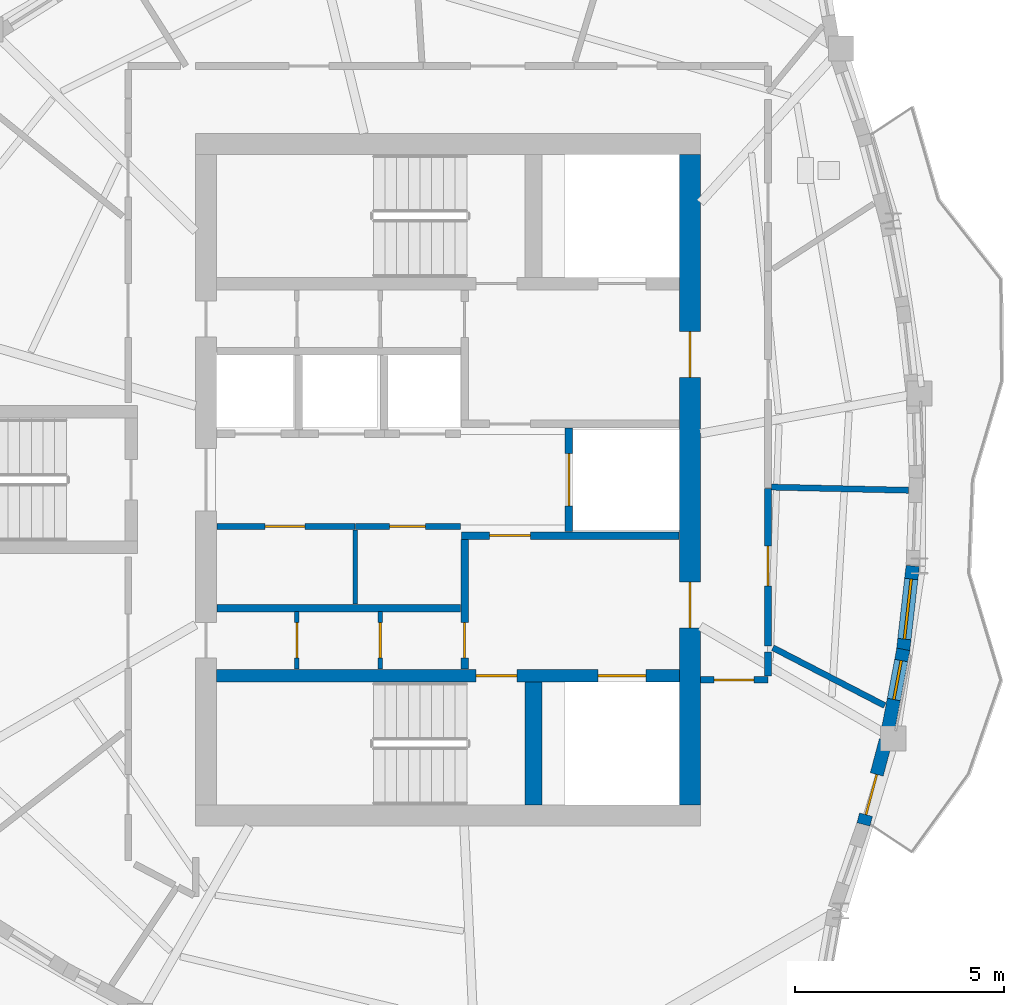
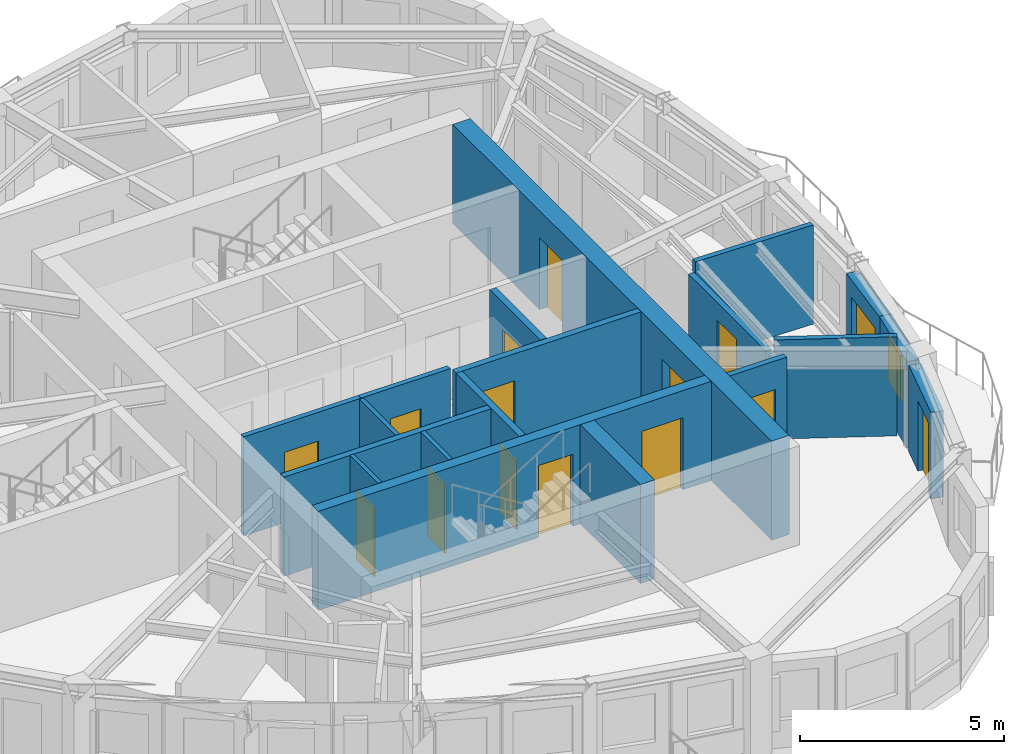
# One storey, part 4 of 11: 20 walls, 14 doors, 2 windows, 16 openings.
"""IFC4 building model written with IfcOpenShell, lengths in metres."""

import ifcopenshell
import ifcopenshell.guid

model = None  # the IFC model being written
_history = None  # IfcOwnerHistory: only IFC2X3 demands one
_inside = {}  # id of a spatial element -> (the spatial element, [elements in it])
_under = {}  # id of a project, library or spatial element -> (it, [spatial elements below it])
_declared = {}  # id of a project -> (the project, [libraries it declares])
_typed = {}  # id of a type object -> (the type object, [elements of that type])
_made_of = {}  # id of a material, layer set ... -> (it, [elements and type objects made of it])


def new_model(schema):
    """Start an empty IFC model of exactly this schema.

    Asked for "IFC4X3", IfcOpenShell would pick the latest addendum, in which some entities
    have other attributes; the version numbers below select the first issue.
    IFC2X3 requires an IfcOwnerHistory on every rooted entity: one is made here for all.
    """
    global model, _history
    if schema == "IFC4X3":
        model = ifcopenshell.file(schema_version=(4, 3, 0, 0))
    else:
        model = ifcopenshell.file(schema=schema)
    _inside.clear()
    _under.clear()
    _declared.clear()
    _typed.clear()
    _made_of.clear()
    _history = None
    if model.schema == "IFC2X3":
        org = make("IfcOrganization", Name="unknown")
        user = make(
            "IfcPersonAndOrganization",
            ThePerson=make("IfcPerson", FamilyName="unknown"),
            TheOrganization=org,
        )
        app = make(
            "IfcApplication",
            ApplicationDeveloper=org,
            Version="unknown",
            ApplicationFullName="unknown",
            ApplicationIdentifier="unknown",
        )
        _history = make(
            "IfcOwnerHistory",
            OwningUser=user,
            OwningApplication=app,
            ChangeAction="ADDED",
            CreationDate=0,
        )
    return model


def make(cls, **values):
    """One entity of the class cls with the attributes given. An attribute that is None is left unset."""
    return model.create_entity(
        cls, **{name: value for name, value in values.items() if value is not None}
    )


def rooted(cls, **values):
    """An entity with a GlobalId (a new one), such as an element, a storey or a relation."""
    return make(cls, GlobalId=ifcopenshell.guid.new(), OwnerHistory=_history, **values)


def si_unit(unit_type, name, prefix=None):
    """IfcSIUnit, for example si_unit("LENGTHUNIT", "METRE", prefix="MILLI")."""
    return make("IfcSIUnit", UnitType=unit_type, Prefix=prefix, Name=name)


def assignment(units):
    """IfcUnitAssignment: the units of a project."""
    return None if units is None else make("IfcUnitAssignment", Units=units)


def point(xyz):
    """IfcCartesianPoint."""
    return None if xyz is None else make("IfcCartesianPoint", Coordinates=xyz)


def direction(xyz):
    """IfcDirection."""
    return None if xyz is None else make("IfcDirection", DirectionRatios=xyz)


def frame(location, z_axis=None, x_axis=None):
    """IfcAxis2Placement3D, a coordinate frame: its origin and axes. An axis left out is left unset."""
    return make(
        "IfcAxis2Placement3D",
        Location=point(location),
        Axis=direction(z_axis),
        RefDirection=direction(x_axis),
    )


def frame_2d(location, x_axis=None):
    """IfcAxis2Placement2D, a coordinate frame in the plane: its origin and x axis."""
    return make(
        "IfcAxis2Placement2D", Location=point(location), RefDirection=direction(x_axis)
    )


def origin():
    """The frame at (0, 0, 0) with its axes left unset."""
    return frame((0.0, 0.0, 0.0))


def place(relative_to, where):
    """IfcLocalPlacement: puts the frame where relative to a parent placement (None: the world)."""
    return make(
        "IfcLocalPlacement", PlacementRelTo=relative_to, RelativePlacement=where
    )


def context(
    kind, dimensions, precision=None, world=None, true_north=None, identifier=None
):
    """IfcGeometricRepresentationContext, for example the 3D "Model" context."""
    return make(
        "IfcGeometricRepresentationContext",
        ContextIdentifier=identifier,
        ContextType=kind,
        CoordinateSpaceDimension=dimensions,
        Precision=precision,
        WorldCoordinateSystem=world,
        TrueNorth=true_north,
    )


def subcontext(parent, identifier, kind, view, scale=None):
    """IfcGeometricRepresentationSubContext, for example "Body" below "Model"."""
    return make(
        "IfcGeometricRepresentationSubContext",
        ContextIdentifier=identifier,
        ContextType=kind,
        ParentContext=parent,
        TargetScale=scale,
        TargetView=view,
    )


def project(units=None, contexts=None):
    """IfcProject with its units and contexts."""
    return rooted(
        "IfcProject",
        Name="project",
        RepresentationContexts=contexts,
        UnitsInContext=assignment(units),
    )


def spatial(cls, under=None, at=None, **own):
    """A site, building, storey or space (cls), placed at a placement, below another one or the project."""
    s = rooted(cls, ObjectPlacement=at, **own)
    if under is not None:
        _under.setdefault(under.id(), (under, []))[1].append(s)
    return s


def profile(cls, at=None, kind="AREA", **sizes):
    """A parametric profile (cls). Its sizes go by their IFC names, for example OverallWidth=200.0."""
    return make(cls, ProfileType=kind, Position=at, **sizes)


def rectangle(**sizes):
    """IfcRectangleProfileDef."""
    return profile("IfcRectangleProfileDef", **sizes)


def extrude(swept, where, along, depth):
    """IfcExtrudedAreaSolid: the profile swept, set in the frame where, extruded along a direction by depth."""
    return make(
        "IfcExtrudedAreaSolid",
        SweptArea=swept,
        Position=where,
        ExtrudedDirection=direction(along),
        Depth=depth,
    )


def shape(context_of_items, identifier, shape_type, items):
    """IfcShapeRepresentation: the items that make up one representation, for example the "Body"."""
    return make(
        "IfcShapeRepresentation",
        ContextOfItems=context_of_items,
        RepresentationIdentifier=identifier,
        RepresentationType=shape_type,
        Items=items,
    )


def source(mapping_origin, context_of_items, identifier, shape_type, items):
    """IfcRepresentationMap: a shape defined once, which mapped items show again and again."""
    return make(
        "IfcRepresentationMap",
        MappingOrigin=mapping_origin,
        MappedRepresentation=shape(context_of_items, identifier, shape_type, items),
    )


def transform(
    local_origin,
    x_axis=None,
    y_axis=None,
    z_axis=None,
    scale=None,
    scale2=None,
    scale3=None,
    uniform=True,
):
    """IfcCartesianTransformationOperator3D, or its non-uniform kind. x_axis, y_axis, z_axis: its Axis1, 2, 3."""
    if uniform:
        return make(
            "IfcCartesianTransformationOperator3D",
            Axis1=direction(x_axis),
            Axis2=direction(y_axis),
            LocalOrigin=point(local_origin),
            Scale=scale,
            Axis3=direction(z_axis),
        )
    return make(
        "IfcCartesianTransformationOperator3DnonUniform",
        Axis1=direction(x_axis),
        Axis2=direction(y_axis),
        LocalOrigin=point(local_origin),
        Scale=scale,
        Axis3=direction(z_axis),
        Scale2=scale2,
        Scale3=scale3,
    )


def mapped(mapping_source, mapping_target):
    """IfcMappedItem: shows the shape of a source again, moved by a transform."""
    return make(
        "IfcMappedItem", MappingSource=mapping_source, MappingTarget=mapping_target
    )


def material(Name=None, Category=None):
    """IfcMaterial."""
    return make("IfcMaterial", Name=Name, Category=Category)


def layer(
    of_material, thickness, ventilated=None, Name=None, Category=None, Priority=None
):
    """IfcMaterialLayer: one layer of a wall or slab, of a material (None: an air gap)."""
    return make(
        "IfcMaterialLayer",
        Material=of_material,
        LayerThickness=thickness,
        IsVentilated=ventilated,
        Name=Name,
        Category=Category,
        Priority=Priority,
    )


def layer_set(layers, Name=None):
    """IfcMaterialLayerSet."""
    return make("IfcMaterialLayerSet", MaterialLayers=layers, LayerSetName=Name)


def made_of(thing, what):
    """Note that an element or type object is made of a material, layer set ...; save() writes the relation."""
    if what is not None:
        _made_of.setdefault(what.id(), (what, []))[1].append(thing)
    return thing


def type_object(cls, material=None, **own):
    """A type object (cls), such as IfcWallType, which elements share."""
    return made_of(rooted(cls, **own), material)


def element(
    cls,
    number,
    at=None,
    inside=None,
    cuts=None,
    type_object=None,
    material=None,
    context=None,
    identifier="Body",
    shape_type=None,
    held_by="IfcProductDefinitionShape",
    body=None,
    shapes=None,
    **own,
):
    """One element of the class cls, such as IfcWall. Its Tag is "e" and its number.

    at: its placement. inside: the storey or other place that contains it. cuts: it is an
    opening in that element (IfcRelVoidsElement). A single representation is given by context,
    identifier, shape_type and body (its items); several are given by shapes. held_by: the class
    of the entity that holds the representations. save() writes the other relations.
    """
    e = rooted(cls, Tag="e%d" % number, ObjectPlacement=at, **own)
    if body is not None:
        shapes = [shape(context, identifier, shape_type, body)]
    if shapes is not None:
        e.Representation = make(held_by, Representations=shapes)
    if inside is not None:
        _inside.setdefault(inside.id(), (inside, []))[1].append(e)
    if cuts is not None:
        rooted(
            "IfcRelVoidsElement", RelatingBuildingElement=cuts, RelatedOpeningElement=e
        )
    if type_object is not None:
        _typed.setdefault(type_object.id(), (type_object, []))[1].append(e)
    return made_of(e, material)


def fill(opening, filler):
    """IfcRelFillsElement: the door or window that sits in an opening."""
    return rooted(
        "IfcRelFillsElement",
        RelatingOpeningElement=opening,
        RelatedBuildingElement=filler,
    )


def aggregate(whole, parts):
    """IfcRelAggregates: a whole, such as a stair, and the parts it consists of."""
    return rooted("IfcRelAggregates", RelatingObject=whole, RelatedObjects=parts)


def save(model, path):
    """Write the relations noted so far, then the file.

    IfcRelAggregates (storeys below a building ...), IfcRelContainedInSpatialStructure (elements
    in a storey), IfcRelDefinesByType, IfcRelAssociatesMaterial and IfcRelDeclares: one each for
    every whole, place, type object, material and project.
    """
    for whole, parts in _under.values():
        aggregate(whole, parts)
    for where, things in _inside.values():
        rooted(
            "IfcRelContainedInSpatialStructure",
            RelatedElements=things,
            RelatingStructure=where,
        )
    for kind, things in _typed.values():
        rooted("IfcRelDefinesByType", RelatedObjects=things, RelatingType=kind)
    for what, things in _made_of.values():
        rooted("IfcRelAssociatesMaterial", RelatedObjects=things, RelatingMaterial=what)
    for by, libraries in _declared.values():
        rooted("IfcRelDeclares", RelatingContext=by, RelatedDefinitions=libraries)
    model.write(path)


model = new_model("IFC4")

# Units and contexts
model_context = context("Model", 3, precision=1e-05, world=origin(), true_north=direction((0.0, 1.0)))
body_context = subcontext(model_context, "Body", "Model", "MODEL_VIEW")
ifc_project = project(units=[si_unit("LENGTHUNIT", "METRE"), si_unit("AREAUNIT", "SQUARE_METRE"), si_unit("VOLUMEUNIT", "CUBIC_METRE"), si_unit("PLANEANGLEUNIT", "RADIAN"), si_unit("MASSUNIT", "GRAM", prefix="KILO")], contexts=[model_context])

# Site, building, storey
site_placement = place(None, origin())
site = spatial("IfcSite", under=ifc_project, at=site_placement, CompositionType="ELEMENT")
building_placement = place(site_placement, origin())
building = spatial("IfcBuilding", under=site, at=building_placement, Name="Qafzar Sky-Pleat Residences", CompositionType="ELEMENT")
storey_placement = place(building_placement, frame((0.0, 0.0, 243.60009765625)))
storey = spatial("IfcBuildingStorey", under=building, at=storey_placement, Name="L73", CompositionType="ELEMENT", Elevation=243.60009765625)

# Wall, opening, door
ifc_material_1 = material(Name="Acoustic gypsum plasterboard partition", Category="gypsum")
ifc_layer_1 = layer(ifc_material_1, 0.159912109375)
ifc_layer_set_1 = layer_set([ifc_layer_1], Name="Acoustic gypsum plasterboard partition")
wall_type_1 = type_object("IfcWallType", Name="PART-COR-160", PredefinedType="PARTITIONING", material=ifc_layer_set_1)
wall_1_placement = place(storey_placement, frame((38.02001953125, 25.7939453125, 0.0), z_axis=(0.0, 0.0, 1.0), x_axis=(0.0, -1.0, 0.0)))
wall_1 = element("IfcWall", 1, at=wall_1_placement, inside=storey, type_object=wall_type_1, Name="L73 Partition Wall PART-L73-PW-005", PredefinedType="PARTITIONING", context=body_context, shape_type="SweptSolid", body=[
    extrude(rectangle(XDim=3.77783203125, YDim=0.159912109375, at=frame_2d((1.888916015625, 0.0))), origin(), (0.0, 0.0, 1.0), 2.6279296875),
])
opening_1_placement = place(wall_1_placement, frame((1.385498046875, 0.0, 0.0)))
opening_1 = element("IfcOpeningElement", 2, at=opening_1_placement, cuts=wall_1, Name="Opening ID-06", PredefinedType="OPENING", context=body_context, shape_type="SweptSolid", body=[
    extrude(rectangle(XDim=0.9599609375, YDim=2.10009765625, at=frame_2d((0.47998046875, 1.050048828125))), frame((0.0, 0.08984375, 0.0), z_axis=(0.0, -1.0, 0.0), x_axis=(1.0, 0.0, 0.0)), (0.0, 0.0, 1.0), 0.179931640625),
])
ifc_material_2 = material(Name="Timber-faced fire door", Category="wood")
door_type_1 = type_object("IfcDoorType", Name="DR-STD-960", OperationType="NOTDEFINED", PredefinedType="DOOR", material=ifc_material_2)
shared_shape_1 = source(origin(), body_context, "Body", "SweptSolid", [
    extrude(rectangle(XDim=0.9599609375, YDim=2.10009765625, at=frame_2d((0.47998046875, 1.050048828125))), frame((0.0, 0.02490234375, 0.0), z_axis=(0.0, -1.0, 0.0), x_axis=(1.0, 0.0, 0.0)), (0.0, 0.0, 1.0), 0.050048828125),
])
door_1_placement = place(opening_1_placement, origin())
door_1 = element("IfcDoor", 3, at=door_1_placement, inside=storey, type_object=door_type_1, Name="L73 Quiet Prayer Room Door", OperationType="SINGLE_SWING_RIGHT", OverallHeight=2.10009765625, OverallWidth=0.9599609375, PredefinedType="DOOR", context=body_context, shape_type="MappedRepresentation", body=[
    mapped(shared_shape_1, transform((0.0, 0.0, 0.0), x_axis=(1.0, 0.0, 0.0), y_axis=(0.0, 1.0, 0.0), z_axis=(0.0, 0.0, 1.0), scale=1.0)),
])
fill(opening_1, door_1)

wall_2_placement = place(storey_placement, frame((38.02001953125, 21.199951171875, 0.0), z_axis=(0.0, 0.0, 1.0), x_axis=(-1.0, 0.0, 0.0)))
wall_2 = element("IfcWall", 4, at=wall_2_placement, inside=storey, type_object=wall_type_1, Name="L73 Partition Wall PART-L73-PW-011", PredefinedType="PARTITIONING", context=body_context, shape_type="SweptSolid", body=[
    extrude(rectangle(XDim=1.612060546875, YDim=0.159912109375, at=frame_2d((0.80615234375, 0.0))), origin(), (0.0, 0.0, 1.0), 2.9599609375),
])
opening_2_placement = place(wall_2_placement, frame((0.330078125, 0.0, 0.0)))
opening_2 = element("IfcOpeningElement", 5, at=opening_2_placement, cuts=wall_2, Name="Opening ID-06", PredefinedType="OPENING", context=body_context, shape_type="SweptSolid", body=[
    extrude(rectangle(XDim=0.9599609375, YDim=2.10009765625, at=frame_2d((0.47998046875, 1.050048828125))), frame((0.0, 0.08984375, 0.0), z_axis=(0.0, -1.0, 0.0), x_axis=(1.0, 0.0, 0.0)), (0.0, 0.0, 1.0), 0.179931640625),
])
door_2_placement = place(opening_2_placement, origin())
door_2 = element("IfcDoor", 6, at=door_2_placement, inside=storey, type_object=door_type_1, Name="L73 Academic Seminar Room Door", OperationType="SINGLE_SWING_LEFT", OverallHeight=2.10009765625, OverallWidth=0.9599609375, PredefinedType="DOOR", context=body_context, shape_type="MappedRepresentation", body=[
    mapped(shared_shape_1, transform((0.0, 0.0, 0.0), x_axis=(1.0, 0.0, 0.0), y_axis=(0.0, 1.0, 0.0), z_axis=(0.0, 0.0, 1.0), scale=1.0)),
])
fill(opening_2, door_2)

# Wall
wall_3_placement = place(storey_placement, frame((38.02001953125, 21.2880859375, 0.0), z_axis=(0.0, 0.0, 1.0), x_axis=(0.0, 1.0, 0.0)))
element("IfcWall", 7, at=wall_3_placement, inside=storey, type_object=wall_type_1, Name="L73 Partition Wall PART-L73-PW-029", PredefinedType="PARTITIONING", context=body_context, shape_type="SweptSolid", body=[
    extrude(rectangle(XDim=0.58203125, YDim=0.159912109375, at=frame_2d((0.291015625, 0.0))), origin(), (0.0, 0.0, 1.0), 2.6279296875),
])

# Wall, opening, door
ifc_material_3 = material(Name="Concrete blockwork partition", Category="masonry")
ifc_layer_2 = layer(ifc_material_3, 0.179931640625)
ifc_layer_set_2 = layer_set([ifc_layer_2], Name="Concrete blockwork partition")
wall_type_2 = type_object("IfcWallType", Name="PART-SHAFT-180", PredefinedType="PARTITIONING", material=ifc_layer_set_2)
wall_4_placement = place(storey_placement, frame((30.75, 21.4599609375, 0.0), z_axis=(0.0, 0.0, 1.0), x_axis=(0.0, 1.0, 0.0)))
wall_4 = element("IfcWall", 8, at=wall_4_placement, inside=storey, type_object=wall_type_2, Name="L73 Partition Wall PART-L73-FFL1-W", PredefinedType="PARTITIONING", context=body_context, shape_type="SweptSolid", body=[
    extrude(rectangle(XDim=3.110107421875, YDim=0.179931640625, at=frame_2d((1.55517578125, 0.0))), origin(), (0.0, 0.0, 1.0), 2.9599609375),
])
opening_3_placement = place(wall_4_placement, frame((0.260009765625, 0.0, 0.0)))
opening_3 = element("IfcOpeningElement", 9, at=opening_3_placement, cuts=wall_4, Name="Opening ID-09", PredefinedType="OPENING", context=body_context, shape_type="SweptSolid", body=[
    extrude(rectangle(XDim=0.860107421875, YDim=2.050048828125, at=frame_2d((0.43017578125, 1.02490234375))), frame((0.0, 0.10009765625, 0.0), z_axis=(0.0, -1.0, 0.0), x_axis=(1.0, 0.0, 0.0)), (0.0, 0.0, 1.0), 0.199951171875),
])
door_type_2 = type_object("IfcDoorType", Name="DR-SVC-860", OperationType="NOTDEFINED", PredefinedType="DOOR", material=ifc_material_2)
shared_shape_2 = source(origin(), body_context, "Body", "SweptSolid", [
    extrude(rectangle(XDim=0.860107421875, YDim=2.050048828125, at=frame_2d((0.43017578125, 1.02490234375))), frame((0.0, 0.02490234375, 0.0), z_axis=(0.0, -1.0, 0.0), x_axis=(1.0, 0.0, 0.0)), (0.0, 0.0, 1.0), 0.050048828125),
])
door_3_placement = place(opening_3_placement, origin())
door_3 = element("IfcDoor", 10, at=door_3_placement, inside=storey, type_object=door_type_2, Name="L73 South Core Cupboard Door", OperationType="SINGLE_SWING_RIGHT", OverallHeight=2.050048828125, OverallWidth=0.860107421875, PredefinedType="DOOR", context=body_context, shape_type="MappedRepresentation", body=[
    mapped(shared_shape_2, transform((0.0, 0.0, 0.0), x_axis=(1.0, 0.0, 0.0), y_axis=(0.0, 1.0, 0.0), z_axis=(0.0, 0.0, 1.0), scale=1.0)),
])
fill(opening_3, door_3)

wall_5_placement = place(storey_placement, frame((30.669921875, 24.659912109375, 0.0), z_axis=(0.0, 0.0, 1.0), x_axis=(1.0, 0.0, 0.0)))
wall_5 = element("IfcWall", 11, at=wall_5_placement, inside=storey, type_object=wall_type_2, Name="L73 Partition Wall PART-L73-FFL1-N", PredefinedType="PARTITIONING", context=body_context, shape_type="SweptSolid", body=[
    extrude(rectangle(XDim=5.219970703125, YDim=0.179931640625, at=frame_2d((2.60986328125, 0.0))), origin(), (0.0, 0.0, 1.0), 2.9599609375),
])
opening_4_placement = place(wall_5_placement, frame((0.679931640625, 0.0, 0.0)))
opening_4 = element("IfcOpeningElement", 12, at=opening_4_placement, cuts=wall_5, Name="Opening ID-01", PredefinedType="OPENING", context=body_context, shape_type="SweptSolid", body=[
    extrude(rectangle(XDim=0.97998046875, YDim=2.14990234375, at=frame_2d((0.489990234375, 1.074951171875))), frame((0.0, 0.10009765625, 0.0), z_axis=(0.0, -1.0, 0.0), x_axis=(1.0, 0.0, 0.0)), (0.0, 0.0, 1.0), 0.199951171875),
])
door_type_3 = type_object("IfcDoorType", Name="DR-STAIR-980", OperationType="NOTDEFINED", PredefinedType="DOOR", material=ifc_material_2)
shared_shape_3 = source(origin(), body_context, "Body", "SweptSolid", [
    extrude(rectangle(XDim=0.97998046875, YDim=2.14990234375, at=frame_2d((0.489990234375, 1.074951171875))), frame((0.0, 0.02490234375, 0.0), z_axis=(0.0, -1.0, 0.0), x_axis=(1.0, 0.0, 0.0)), (0.0, 0.0, 1.0), 0.050048828125),
])
door_4_placement = place(opening_4_placement, origin())
door_4 = element("IfcDoor", 13, at=door_4_placement, inside=storey, type_object=door_type_3, Name="L73 Lift Lobby to South Firefighting Lobby Door", OperationType="SINGLE_SWING_LEFT", OverallHeight=2.14990234375, OverallWidth=0.97998046875, PredefinedType="DOOR", context=body_context, shape_type="MappedRepresentation", body=[
    mapped(shared_shape_3, transform((0.0, 0.0, 0.0), x_axis=(1.0, 0.0, 0.0), y_axis=(0.0, 1.0, 0.0), z_axis=(0.0, 0.0, 1.0), scale=1.0)),
])
fill(opening_4, door_4)

wall_6_placement = place(storey_placement, frame((33.25, 24.760009765625, 0.0), z_axis=(0.0, 0.0, 1.0), x_axis=(0.0, 1.0, 0.0)))
wall_6 = element("IfcWall", 14, at=wall_6_placement, inside=storey, type_object=wall_type_2, Name="L73 Partition Wall PART-L73-SV1-W", PredefinedType="PARTITIONING", context=body_context, shape_type="SweptSolid", body=[
    extrude(rectangle(XDim=2.47998046875, YDim=0.179931640625, at=frame_2d((1.239990234375, 0.0))), origin(), (0.0, 0.0, 1.0), 2.9599609375),
])
opening_5_placement = place(wall_6_placement, frame((0.614990234375, 0.0, 0.0)))
opening_5 = element("IfcOpeningElement", 15, at=opening_5_placement, cuts=wall_6, Name="Opening LD-03", PredefinedType="OPENING", context=body_context, shape_type="SweptSolid", body=[
    extrude(rectangle(XDim=1.25, YDim=2.14990234375, at=frame_2d((0.625, 1.074951171875))), frame((0.0, 0.10009765625, 0.0), z_axis=(0.0, -1.0, 0.0), x_axis=(1.0, 0.0, 0.0)), (0.0, 0.0, 1.0), 0.199951171875),
])
ifc_material_4 = material(Name="Stainless steel sliding landing door", Category="steel")
door_type_4 = type_object("IfcDoorType", Name="DR-LIFT-SV", OperationType="DOUBLE_DOOR_SLIDING", PredefinedType="DOOR", material=ifc_material_4)
shared_shape_4 = source(origin(), body_context, "Body", "SweptSolid", [
    extrude(rectangle(XDim=1.25, YDim=2.14990234375, at=frame_2d((0.625, 1.074951171875))), frame((0.0, 0.02490234375, 0.0), z_axis=(0.0, -1.0, 0.0), x_axis=(1.0, 0.0, 0.0)), (0.0, 0.0, 1.0), 0.050048828125),
])
door_5_placement = place(opening_5_placement, origin())
door_5 = element("IfcDoor", 16, at=door_5_placement, inside=storey, type_object=door_type_4, Name="L73 Service Lift SV1 Landing Door", OperationType="DOUBLE_DOOR_SLIDING", OverallHeight=2.14990234375, OverallWidth=1.25, PredefinedType="DOOR", context=body_context, shape_type="MappedRepresentation", body=[
    mapped(shared_shape_4, transform((0.0, 0.0, 0.0), x_axis=(1.0, 0.0, 0.0), y_axis=(0.0, 1.0, 0.0), z_axis=(0.0, 0.0, 1.0), scale=1.0)),
])
fill(opening_5, door_5)

# Walls
wall_7_placement = place(storey_placement, frame((24.81005859375, 22.919921875, 0.0), z_axis=(0.0, 0.0, 1.0), x_axis=(1.0, 0.0, 0.0)))
element("IfcWall", 17, at=wall_7_placement, inside=storey, type_object=wall_type_2, Name="L73 Partition Wall PART-L73-P13-S", PredefinedType="PARTITIONING", context=body_context, shape_type="SweptSolid", body=[
    extrude(rectangle(XDim=5.83984375, YDim=0.179931640625, at=frame_2d((2.919921875, 0.0))), origin(), (0.0, 0.0, 1.0), 2.9599609375),
])
ifc_material_5 = material(Name="Gypsum plasterboard partition", Category="gypsum")
ifc_layer_3 = layer(ifc_material_5, 0.114990234375)
ifc_layer_set_3 = layer_set([ifc_layer_3], Name="Gypsum plasterboard partition")
wall_type_3 = type_object("IfcWallType", Name="PART-SVC-115", PredefinedType="PARTITIONING", material=ifc_layer_set_3)
wall_8_placement = place(storey_placement, frame((28.125, 23.02001953125, 0.0), z_axis=(0.0, 0.0, 1.0), x_axis=(0.0, 1.0, 0.0)))
element("IfcWall", 18, at=wall_8_placement, inside=storey, type_object=wall_type_3, Name="L73 Partition Wall PART-L73-RECLAIM-DIV", PredefinedType="PARTITIONING", context=body_context, shape_type="SweptSolid", body=[
    extrude(rectangle(XDim=1.77001953125, YDim=0.114990234375, at=frame_2d((0.885009765625, 0.0))), origin(), (0.0, 0.0, 1.0), 2.9599609375),
])

# Wall, opening, door
wall_9_placement = place(storey_placement, frame((26.72509765625, 21.4599609375, 0.0), z_axis=(0.0, 0.0, 1.0), x_axis=(0.0, 1.0, 0.0)))
wall_9 = element("IfcWall", 19, at=wall_9_placement, inside=storey, type_object=wall_type_3, Name="L73 Partition Wall PART-L73-KC-SW-1", PredefinedType="PARTITIONING", context=body_context, shape_type="SweptSolid", body=[
    extrude(rectangle(XDim=1.380126953125, YDim=0.114990234375, at=frame_2d((0.68994140625, 0.0))), origin(), (0.0, 0.0, 1.0), 2.9599609375),
])
opening_6_placement = place(wall_9_placement, frame((0.260009765625, 0.0, 0.0)))
opening_6 = element("IfcOpeningElement", 20, at=opening_6_placement, cuts=wall_9, Name="Opening ID-09", PredefinedType="OPENING", context=body_context, shape_type="SweptSolid", body=[
    extrude(rectangle(XDim=0.860107421875, YDim=2.050048828125, at=frame_2d((0.43017578125, 1.02490234375))), frame((0.0, 0.0673828125, 0.0), z_axis=(0.0, -1.0, 0.0), x_axis=(1.0, 0.0, 0.0)), (0.0, 0.0, 1.0), 0.135009765625),
])
door_6_placement = place(opening_6_placement, origin())
door_6 = element("IfcDoor", 21, at=door_6_placement, inside=storey, type_object=door_type_2, Name="L73 Core South Cupboard 1 Door", OperationType="SINGLE_SWING_RIGHT", OverallHeight=2.050048828125, OverallWidth=0.860107421875, PredefinedType="DOOR", context=body_context, shape_type="MappedRepresentation", body=[
    mapped(shared_shape_2, transform((0.0, 0.0, 0.0), x_axis=(1.0, 0.0, 0.0), y_axis=(0.0, 1.0, 0.0), z_axis=(0.0, 0.0, 1.0), scale=1.0)),
])
fill(opening_6, door_6)

wall_10_placement = place(storey_placement, frame((28.72509765625, 21.4599609375, 0.0), z_axis=(0.0, 0.0, 1.0), x_axis=(0.0, 1.0, 0.0)))
wall_10 = element("IfcWall", 22, at=wall_10_placement, inside=storey, type_object=wall_type_3, Name="L73 Partition Wall PART-L73-KC-SW-2", PredefinedType="PARTITIONING", context=body_context, shape_type="SweptSolid", body=[
    extrude(rectangle(XDim=1.380126953125, YDim=0.114990234375, at=frame_2d((0.68994140625, 0.0))), origin(), (0.0, 0.0, 1.0), 2.9599609375),
])
opening_7_placement = place(wall_10_placement, frame((0.260009765625, 0.0, 0.0)))
opening_7 = element("IfcOpeningElement", 23, at=opening_7_placement, cuts=wall_10, Name="Opening ID-09", PredefinedType="OPENING", context=body_context, shape_type="SweptSolid", body=[
    extrude(rectangle(XDim=0.860107421875, YDim=2.050048828125, at=frame_2d((0.43017578125, 1.02490234375))), frame((0.0, 0.0673828125, 0.0), z_axis=(0.0, -1.0, 0.0), x_axis=(1.0, 0.0, 0.0)), (0.0, 0.0, 1.0), 0.135009765625),
])
door_7_placement = place(opening_7_placement, origin())
door_7 = element("IfcDoor", 24, at=door_7_placement, inside=storey, type_object=door_type_2, Name="L73 Core South Cupboard 2 Door", OperationType="SINGLE_SWING_RIGHT", OverallHeight=2.050048828125, OverallWidth=0.860107421875, PredefinedType="DOOR", context=body_context, shape_type="MappedRepresentation", body=[
    mapped(shared_shape_2, transform((0.0, 0.0, 0.0), x_axis=(1.0, 0.0, 0.0), y_axis=(0.0, 1.0, 0.0), z_axis=(0.0, 0.0, 1.0), scale=1.0)),
])
fill(opening_7, door_7)

ifc_layer_4 = layer(ifc_material_1, 0.14501953125)
ifc_layer_set_4 = layer_set([ifc_layer_4], Name="Acoustic gypsum plasterboard partition")
wall_type_4 = type_object("IfcWallType", Name="PART-UNIT-145", PredefinedType="PARTITIONING", material=ifc_layer_set_4)
wall_11_placement = place(storey_placement, frame((24.81005859375, 24.8798828125, 0.0), z_axis=(0.0, 0.0, 1.0), x_axis=(1.0, 0.0, 0.0)))
wall_11 = element("IfcWall", 25, at=wall_11_placement, inside=storey, type_object=wall_type_4, Name="L73 Partition Wall PART-L73-RECLAIM-N1", PredefinedType="PARTITIONING", context=body_context, shape_type="SweptSolid", body=[
    extrude(rectangle(XDim=3.31005859375, YDim=0.14501953125, at=frame_2d((1.655029296875, 0.0))), origin(), (0.0, 0.0, 1.0), 2.9599609375),
])
opening_8_placement = place(wall_11_placement, frame((1.14990234375, 0.0, 0.0)))
opening_8 = element("IfcOpeningElement", 26, at=opening_8_placement, cuts=wall_11, Name="Opening ID-06", PredefinedType="OPENING", context=body_context, shape_type="SweptSolid", body=[
    extrude(rectangle(XDim=0.9599609375, YDim=2.10009765625, at=frame_2d((0.47998046875, 1.050048828125))), frame((0.0, 0.08251953125, 0.0), z_axis=(0.0, -1.0, 0.0), x_axis=(1.0, 0.0, 0.0)), (0.0, 0.0, 1.0), 0.1650390625),
])
door_8_placement = place(opening_8_placement, origin())
door_8 = element("IfcDoor", 27, at=door_8_placement, inside=storey, type_object=door_type_1, Name="L73 Reclaimed Quiet Study Room Door", OperationType="SINGLE_SWING_RIGHT", OverallHeight=2.10009765625, OverallWidth=0.9599609375, PredefinedType="DOOR", context=body_context, shape_type="MappedRepresentation", body=[
    mapped(shared_shape_1, transform((0.0, 0.0, 0.0), x_axis=(1.0, 0.0, 0.0), y_axis=(0.0, 1.0, 0.0), z_axis=(0.0, 0.0, 1.0), scale=1.0)),
])
fill(opening_8, door_8)

wall_12_placement = place(storey_placement, frame((28.1298828125, 24.8798828125, 0.0), z_axis=(0.0, 0.0, 1.0), x_axis=(1.0, 0.0, 0.0)))
wall_12 = element("IfcWall", 28, at=wall_12_placement, inside=storey, type_object=wall_type_4, Name="L73 Partition Wall PART-L73-RECLAIM-N2", PredefinedType="PARTITIONING", context=body_context, shape_type="SweptSolid", body=[
    extrude(rectangle(XDim=2.52001953125, YDim=0.14501953125, at=frame_2d((1.260009765625, 0.0))), origin(), (0.0, 0.0, 1.0), 2.9599609375),
])
opening_9_placement = place(wall_12_placement, frame((0.820068359375, 0.0, 0.0)))
opening_9 = element("IfcOpeningElement", 29, at=opening_9_placement, cuts=wall_12, Name="Opening ID-09", PredefinedType="OPENING", context=body_context, shape_type="SweptSolid", body=[
    extrude(rectangle(XDim=0.860107421875, YDim=2.050048828125, at=frame_2d((0.43017578125, 1.02490234375))), frame((0.0, 0.08251953125, 0.0), z_axis=(0.0, -1.0, 0.0), x_axis=(1.0, 0.0, 0.0)), (0.0, 0.0, 1.0), 0.1650390625),
])
door_9_placement = place(opening_9_placement, origin())
door_9 = element("IfcDoor", 30, at=door_9_placement, inside=storey, type_object=door_type_2, Name="L73 Reclaimed Linen Cupboard Door", OperationType="SINGLE_SWING_LEFT", OverallHeight=2.050048828125, OverallWidth=0.860107421875, PredefinedType="DOOR", context=body_context, shape_type="MappedRepresentation", body=[
    mapped(shared_shape_2, transform((0.0, 0.0, 0.0), x_axis=(1.0, 0.0, 0.0), y_axis=(0.0, 1.0, 0.0), z_axis=(0.0, 0.0, 1.0), scale=1.0)),
])
fill(opening_9, door_9)

# Walls
wall_13_placement = place(storey_placement, frame((38.109619140625, 25.822021484375, 0.0), z_axis=(0.0, 0.0, 1.0), x_axis=(0.999734335157, -0.023049058746, 0.0)))
element("IfcWall", 31, at=wall_13_placement, inside=storey, type_object=wall_type_4, Name="L73 Partition Wall PART-L73-PW-017", PredefinedType="PARTITIONING", context=body_context, shape_type="SweptSolid", body=[
    extrude(rectangle(XDim=3.28369140625, YDim=0.14501953125, at=frame_2d((1.641845703125, 0.0))), origin(), (0.0, 0.0, 1.0), 2.9599609375),
])
wall_14_placement = place(storey_placement, frame((38.140380859375, 21.970703125, 0.0), z_axis=(0.0, 0.0, 1.0), x_axis=(0.888273451666, -0.459315006357, 0.0)))
element("IfcWall", 32, at=wall_14_placement, inside=storey, type_object=wall_type_4, Name="L73 Partition Wall PART-L73-PW-018", PredefinedType="PARTITIONING", context=body_context, shape_type="SweptSolid", body=[
    extrude(rectangle(XDim=3.015869140625, YDim=0.14501953125, at=frame_2d((1.5078125, 0.0))), origin(), (0.0, 0.0, 1.0), 2.9599609375),
])

# Wall, opening, door
ifc_material_6 = material(Name="Precast concrete C40/50 with honed Riyadh limestone", Category="concrete")
ifc_layer_5 = layer(ifc_material_6, 0.320068359375)
ifc_layer_set_5 = layer_set([ifc_layer_5], Name="Precast concrete C40/50 with honed Riyadh limestone")
wall_type_5 = type_object("IfcWallType", Name="WALL-EXT-320", PredefinedType="SOLIDWALL", material=ifc_layer_set_5)
wall_15_placement = place(storey_placement, frame((40.31005859375, 17.735595703125, 0.0), z_axis=(0.0, 0.0, 1.0), x_axis=(0.257094755125, 0.966386199657, 0.0)))
wall_15 = element("IfcWall", 33, at=wall_15_placement, inside=storey, type_object=wall_type_5, Name="L73 Limestone Facade Wall 24", PredefinedType="SOLIDWALL", context=body_context, shape_type="SweptSolid", body=[
    extrude(rectangle(XDim=2.087158203125, YDim=0.320068359375, at=frame_2d((1.04345703125, 0.0))), origin(), (0.0, 0.0, 1.0), 2.579833984375),
])
opening_10_placement = place(wall_15_placement, frame((0.239990234375, 0.0, 0.0)))
opening_10 = element("IfcOpeningElement", 34, at=opening_10_placement, cuts=wall_15, Name="Opening ED-05", PredefinedType="OPENING", context=body_context, shape_type="SweptSolid", body=[
    extrude(rectangle(XDim=1.0, YDim=2.10009765625, at=frame_2d((0.5, 1.050048828125))), frame((0.0, 0.169921875, 0.0), z_axis=(0.0, -1.0, 0.0), x_axis=(1.0, 0.0, 0.0)), (0.0, 0.0, 1.0), 0.340087890625),
])
ifc_material_7 = material(Name="Glazed bronze aluminium door", Category="aluminium")
door_type_5 = type_object("IfcDoorType", Name="DR-BAL-1000", OperationType="NOTDEFINED", PredefinedType="DOOR", material=ifc_material_7)
shared_shape_5 = source(origin(), body_context, "Body", "SweptSolid", [
    extrude(rectangle(XDim=1.0, YDim=2.10009765625, at=frame_2d((0.5, 1.050048828125))), frame((0.0, 0.02490234375, 0.0), z_axis=(0.0, -1.0, 0.0), x_axis=(1.0, 0.0, 0.0)), (0.0, 0.0, 1.0), 0.050048828125),
])
door_10_placement = place(opening_10_placement, origin())
door_10 = element("IfcDoor", 35, at=door_10_placement, inside=storey, type_object=door_type_5, Name="L73 Glazed Balcony Door 1", OperationType="SINGLE_SWING_LEFT", OverallHeight=2.10009765625, OverallWidth=1.0, PredefinedType="DOOR", context=body_context, shape_type="MappedRepresentation", body=[
    mapped(shared_shape_5, transform((0.0, 0.0, 0.0), x_axis=(1.0, 0.0, 0.0), y_axis=(0.0, 1.0, 0.0), z_axis=(0.0, 0.0, 1.0), scale=1.0)),
])
fill(opening_10, door_10)

# Wall, opening, window
wall_16_placement = place(storey_placement, frame((40.884033203125, 19.916748046875, 0.0), z_axis=(0.0, 0.0, 1.0), x_axis=(0.186658349395, 0.98242488802, 0.0)))
wall_16 = element("IfcWall", 36, at=wall_16_placement, inside=storey, type_object=wall_type_5, Name="L73 Limestone Facade Wall 25", PredefinedType="SOLIDWALL", context=body_context, shape_type="SweptSolid", body=[
    extrude(rectangle(XDim=2.05224609375, YDim=0.320068359375, at=frame_2d((1.026123046875, 0.0))), origin(), (0.0, 0.0, 1.0), 2.579833984375),
])
opening_11_placement = place(wall_16_placement, frame((0.827880859375, 0.0, 0.820068359375)))
opening_11 = element("IfcOpeningElement", 37, at=opening_11_placement, cuts=wall_16, Name="Opening WN-12", PredefinedType="OPENING", context=body_context, shape_type="SweptSolid", body=[
    extrude(rectangle(XDim=0.949951171875, YDim=1.35009765625, at=frame_2d((0.47509765625, 0.675048828125))), frame((0.0, 0.169921875, 0.0), z_axis=(0.0, -1.0, 0.0), x_axis=(1.0, 0.0, 0.0)), (0.0, 0.0, 1.0), 0.340087890625),
])
ifc_material_8 = material(Name="Solar-control low-E glass in bronze aluminium frame", Category="glass")
window_type_1 = type_object("IfcWindowType", Name="WIN-12", PartitioningType="SINGLE_PANEL", PredefinedType="WINDOW", material=ifc_material_8)
shared_shape_6 = source(origin(), body_context, "Body", "SweptSolid", [
    extrude(rectangle(XDim=0.949951171875, YDim=1.35009765625, at=frame_2d((0.47509765625, 0.675048828125))), frame((0.0, 0.030029296875, 0.0), z_axis=(0.0, -1.0, 0.0), x_axis=(1.0, 0.0, 0.0)), (0.0, 0.0, 1.0), 0.06005859375),
])
window_1_placement = place(opening_11_placement, origin())
window_1 = element("IfcWindow", 38, at=window_1_placement, inside=storey, type_object=window_type_1, Name="L73 Punched Facade Window 25-2", OverallHeight=1.35009765625, OverallWidth=0.949951171875, PartitioningType="SINGLE_PANEL", PredefinedType="WINDOW", context=body_context, shape_type="MappedRepresentation", body=[
    mapped(shared_shape_6, transform((0.0, 0.0, 0.0), x_axis=(1.0, 0.0, 0.0), y_axis=(0.0, 1.0, 0.0), z_axis=(0.0, 0.0, 1.0), scale=1.0)),
])
fill(opening_11, window_1)

wall_17_placement = place(storey_placement, frame((41.25390625, 21.845947265625, 0.0), z_axis=(0.0, 0.0, 1.0), x_axis=(0.113303807423, 0.993560389319, 0.0)))
wall_17 = element("IfcWall", 39, at=wall_17_placement, inside=storey, type_object=wall_type_5, Name="L73 Limestone Facade Wall 26", PredefinedType="SOLIDWALL", context=body_context, shape_type="SweptSolid", body=[
    extrude(rectangle(XDim=2.0986328125, YDim=0.320068359375, at=frame_2d((1.04931640625, 0.0))), origin(), (0.0, 0.0, 1.0), 2.579833984375),
])
opening_12_placement = place(wall_17_placement, frame((0.334228515625, 0.0, 0.820068359375)))
opening_12 = element("IfcOpeningElement", 40, at=opening_12_placement, cuts=wall_17, Name="Opening WN-15", PredefinedType="OPENING", context=body_context, shape_type="SweptSolid", body=[
    extrude(rectangle(XDim=1.449951171875, YDim=1.25, at=frame_2d((0.72509765625, 0.625))), frame((0.0, 0.169921875, 0.0), z_axis=(0.0, -1.0, 0.0), x_axis=(1.0, 0.0, 0.0)), (0.0, 0.0, 1.0), 0.340087890625),
])
window_type_2 = type_object("IfcWindowType", Name="WIN-15", PartitioningType="SINGLE_PANEL", PredefinedType="WINDOW", material=ifc_material_8)
shared_shape_7 = source(origin(), body_context, "Body", "SweptSolid", [
    extrude(rectangle(XDim=1.449951171875, YDim=1.25, at=frame_2d((0.72509765625, 0.625))), frame((0.0, 0.030029296875, 0.0), z_axis=(0.0, -1.0, 0.0), x_axis=(1.0, 0.0, 0.0)), (0.0, 0.0, 1.0), 0.06005859375),
])
window_2_placement = place(opening_12_placement, origin())
window_2 = element("IfcWindow", 41, at=window_2_placement, inside=storey, type_object=window_type_2, Name="L73 Punched Facade Window 26", OverallHeight=1.25, OverallWidth=1.449951171875, PartitioningType="SINGLE_PANEL", PredefinedType="WINDOW", context=body_context, shape_type="MappedRepresentation", body=[
    mapped(shared_shape_7, transform((0.0, 0.0, 0.0), x_axis=(1.0, 0.0, 0.0), y_axis=(0.0, 1.0, 0.0), z_axis=(0.0, 0.0, 1.0), scale=1.0)),
])
fill(opening_12, window_2)

# Wall, openings, doors
ifc_material_9 = material(Name="Concrete C60/75", Category="concrete")
ifc_layer_6 = layer(ifc_material_9, 0.300048828125)
ifc_layer_set_6 = layer_set([ifc_layer_6], Name="Concrete C60/75")
wall_type_6 = type_object("IfcWallType", Name="WALL-SHEAR-300", PredefinedType="SHEAR", material=ifc_layer_set_6)
wall_18_placement = place(storey_placement, frame((24.800048828125, 21.300048828125, 0.0), z_axis=(0.0, 0.0, 1.0), x_axis=(1.0, 0.0, 0.0)))
wall_18 = element("IfcWall", 42, at=wall_18_placement, inside=storey, type_object=wall_type_6, Name="L73 Stair ST1 and FF1 Shaft North Wall", PredefinedType="SHEAR", context=body_context, shape_type="SweptSolid", body=[
    extrude(rectangle(XDim=11.099853515625, YDim=0.300048828125, at=frame_2d((5.5498046875, 0.0))), origin(), (0.0, 0.0, 1.0), 2.9599609375),
])
opening_13_placement = place(wall_18_placement, frame((6.219970703125, 0.0, 0.0)))
opening_13 = element("IfcOpeningElement", 43, at=opening_13_placement, cuts=wall_18, Name="Opening ID-01", PredefinedType="OPENING", context=body_context, shape_type="SweptSolid", body=[
    extrude(rectangle(XDim=0.97998046875, YDim=2.14990234375, at=frame_2d((0.489990234375, 1.074951171875))), frame((0.0, 0.16015625, 0.0), z_axis=(0.0, -1.0, 0.0), x_axis=(1.0, 0.0, 0.0)), (0.0, 0.0, 1.0), 0.320068359375),
])
opening_14_placement = place(wall_18_placement, frame((9.14990234375, 0.0, 0.0)))
opening_14 = element("IfcOpeningElement", 44, at=opening_14_placement, cuts=wall_18, Name="Opening LD-02", PredefinedType="OPENING", context=body_context, shape_type="SweptSolid", body=[
    extrude(rectangle(XDim=1.14990234375, YDim=2.14990234375, at=frame_2d((0.574951171875, 1.074951171875))), frame((0.0, 0.16015625, 0.0), z_axis=(0.0, -1.0, 0.0), x_axis=(1.0, 0.0, 0.0)), (0.0, 0.0, 1.0), 0.320068359375),
])
door_11_placement = place(opening_13_placement, origin())
door_11 = element("IfcDoor", 45, at=door_11_placement, inside=storey, type_object=door_type_3, Name="L73 Stair ST1 Fire Door", OperationType="SINGLE_SWING_LEFT", OverallHeight=2.14990234375, OverallWidth=0.97998046875, PredefinedType="DOOR", context=body_context, shape_type="MappedRepresentation", body=[
    mapped(shared_shape_3, transform((0.0, 0.0, 0.0), x_axis=(1.0, 0.0, 0.0), y_axis=(0.0, 1.0, 0.0), z_axis=(0.0, 0.0, 1.0), scale=1.0)),
])
fill(opening_13, door_11)
door_type_6 = type_object("IfcDoorType", Name="DR-LIFT-FF", OperationType="DOUBLE_DOOR_SLIDING", PredefinedType="DOOR", material=ifc_material_4)
shared_shape_8 = source(origin(), body_context, "Body", "SweptSolid", [
    extrude(rectangle(XDim=1.14990234375, YDim=2.14990234375, at=frame_2d((0.574951171875, 1.074951171875))), frame((0.0, 0.02490234375, 0.0), z_axis=(0.0, -1.0, 0.0), x_axis=(1.0, 0.0, 0.0)), (0.0, 0.0, 1.0), 0.050048828125),
])
door_12_placement = place(opening_14_placement, origin())
door_12 = element("IfcDoor", 46, at=door_12_placement, inside=storey, type_object=door_type_6, Name="L73 Firefighting Lift FF1 Landing Door", OperationType="DOUBLE_DOOR_SLIDING", OverallHeight=2.14990234375, OverallWidth=1.14990234375, PredefinedType="DOOR", context=body_context, shape_type="MappedRepresentation", body=[
    mapped(shared_shape_8, transform((0.0, 0.0, 0.0), x_axis=(1.0, 0.0, 0.0), y_axis=(0.0, 1.0, 0.0), z_axis=(0.0, 0.0, 1.0), scale=1.0)),
])
fill(opening_14, door_12)

# Wall
ifc_layer_7 = layer(ifc_material_9, 0.39990234375)
ifc_layer_set_7 = layer_set([ifc_layer_7], Name="Concrete C60/75")
wall_type_7 = type_object("IfcWallType", Name="WALL-SHEAR-400", PredefinedType="SHEAR", material=ifc_layer_set_7)
wall_19_placement = place(storey_placement, frame((32.39990234375, 18.199951171875, 0.0), z_axis=(0.0, 0.0, 1.0), x_axis=(0.0, 1.0, 0.0)))
element("IfcWall", 47, at=wall_19_placement, inside=storey, type_object=wall_type_7, Name="L73 Stair ST1 East Dividing Wall", PredefinedType="SHEAR", context=body_context, shape_type="SweptSolid", body=[
    extrude(rectangle(XDim=2.949951171875, YDim=0.39990234375, at=frame_2d((1.47509765625, 0.0))), origin(), (0.0, 0.0, 1.0), 2.9599609375),
])

# Wall, openings, doors
ifc_layer_8 = layer(ifc_material_9, 0.5)
ifc_layer_set_8 = layer_set([ifc_layer_8], Name="Concrete C60/75")
wall_type_8 = type_object("IfcWallType", Name="WALL-SHEAR-500", PredefinedType="SHEAR", material=ifc_layer_set_8)
wall_20_placement = place(storey_placement, frame((36.14990234375, 18.199951171875, 0.0), z_axis=(0.0, 0.0, 1.0), x_axis=(0.0, 1.0, 0.0)))
wall_20 = element("IfcWall", 48, at=wall_20_placement, inside=storey, type_object=wall_type_8, Name="L73 CORE wall E", PredefinedType="SHEAR", context=body_context, shape_type="SweptSolid", body=[
    extrude(rectangle(XDim=15.60009765625, YDim=0.5, at=frame_2d((7.800048828125, 0.0))), origin(), (0.0, 0.0, 1.0), 2.9599609375),
])
opening_15_placement = place(wall_20_placement, frame((4.25, 0.0, 0.0)))
opening_15 = element("IfcOpeningElement", 49, at=opening_15_placement, cuts=wall_20, Name="Opening ID-02", PredefinedType="OPENING", context=body_context, shape_type="SweptSolid", body=[
    extrude(rectangle(XDim=1.10009765625, YDim=2.14990234375, at=frame_2d((0.550048828125, 1.074951171875))), frame((0.0, 0.260009765625, 0.0), z_axis=(0.0, -1.0, 0.0), x_axis=(1.0, 0.0, 0.0)), (0.0, 0.0, 1.0), 0.52001953125),
])
opening_16_placement = place(wall_20_placement, frame((10.25, 0.0, 0.0)))
opening_16 = element("IfcOpeningElement", 50, at=opening_16_placement, cuts=wall_20, Name="Opening ID-02", PredefinedType="OPENING", context=body_context, shape_type="SweptSolid", body=[
    extrude(rectangle(XDim=1.10009765625, YDim=2.14990234375, at=frame_2d((0.550048828125, 1.074951171875))), frame((0.0, 0.260009765625, 0.0), z_axis=(0.0, -1.0, 0.0), x_axis=(1.0, 0.0, 0.0)), (0.0, 0.0, 1.0), 0.52001953125),
])
door_type_7 = type_object("IfcDoorType", Name="DR-FFL-1100", OperationType="NOTDEFINED", PredefinedType="DOOR", material=ifc_material_2)
shared_shape_9 = source(origin(), body_context, "Body", "SweptSolid", [
    extrude(rectangle(XDim=1.10009765625, YDim=2.14990234375, at=frame_2d((0.550048828125, 1.074951171875))), frame((0.0, 0.02490234375, 0.0), z_axis=(0.0, -1.0, 0.0), x_axis=(1.0, 0.0, 0.0)), (0.0, 0.0, 1.0), 0.050048828125),
])
door_13_placement = place(opening_15_placement, origin())
door_13 = element("IfcDoor", 51, at=door_13_placement, inside=storey, type_object=door_type_7, Name="L73 Firefighting Lobby South Corridor Door", OperationType="SINGLE_SWING_RIGHT", OverallHeight=2.14990234375, OverallWidth=1.10009765625, PredefinedType="DOOR", context=body_context, shape_type="MappedRepresentation", body=[
    mapped(shared_shape_9, transform((0.0, 0.0, 0.0), x_axis=(1.0, 0.0, 0.0), y_axis=(0.0, 1.0, 0.0), z_axis=(0.0, 0.0, 1.0), scale=1.0)),
])
fill(opening_15, door_13)
door_14_placement = place(opening_16_placement, origin())
door_14 = element("IfcDoor", 52, at=door_14_placement, inside=storey, type_object=door_type_7, Name="L73 Firefighting Lobby North Corridor Door", OperationType="SINGLE_SWING_LEFT", OverallHeight=2.14990234375, OverallWidth=1.10009765625, PredefinedType="DOOR", context=body_context, shape_type="MappedRepresentation", body=[
    mapped(shared_shape_9, transform((0.0, 0.0, 0.0), x_axis=(1.0, 0.0, 0.0), y_axis=(0.0, 1.0, 0.0), z_axis=(0.0, 0.0, 1.0), scale=1.0)),
])
fill(opening_16, door_14)

save(model, "model.ifc")
